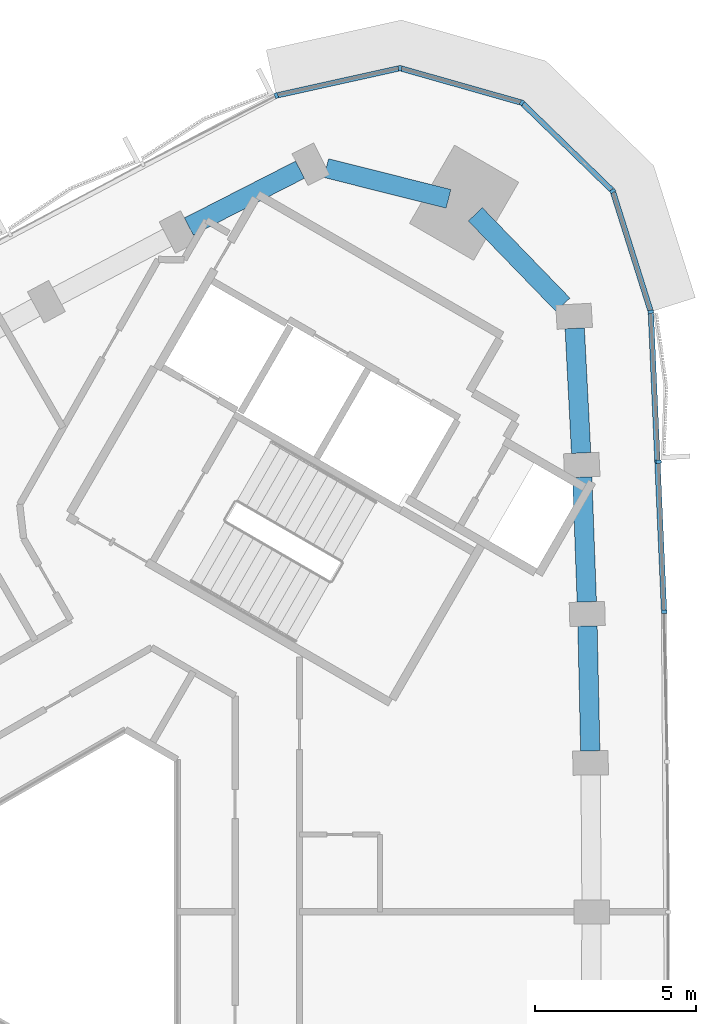
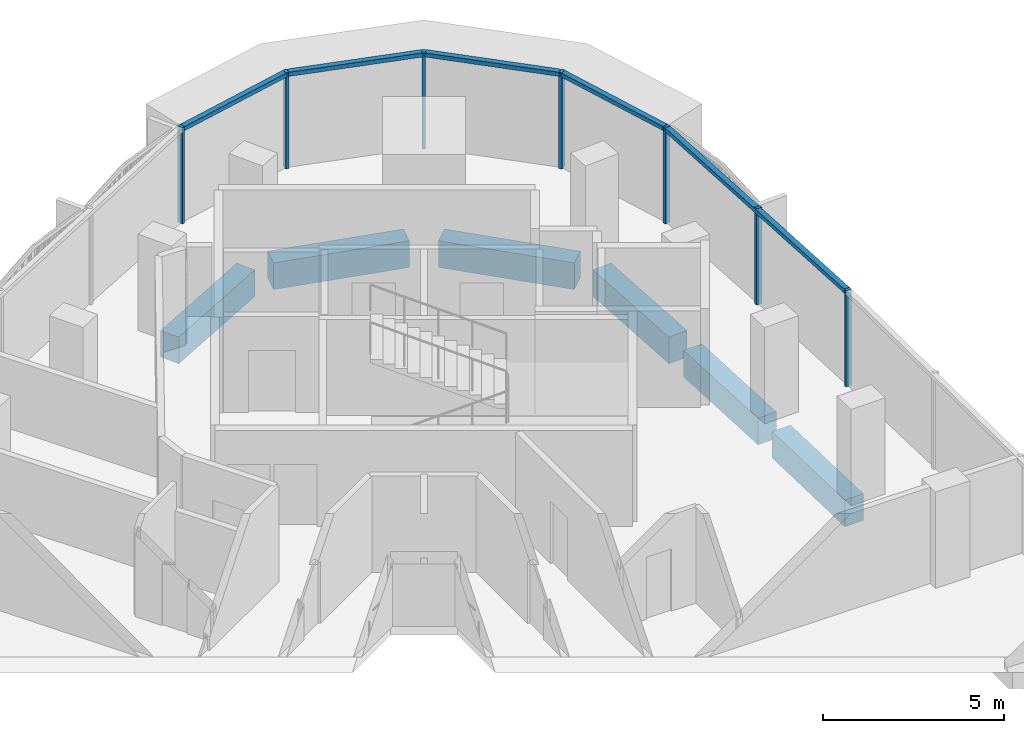
# One storey, part 6 of 16: 12 members, 6 beams, 2 elements without a shape of their own.
"""IFC4 building model written with IfcOpenShell, lengths in metres."""

from ifc_helpers import new_model, si_unit, direction, frame, origin, origin_2d, place, context, subcontext, project, spatial, rectangle, extrude, material, material_profile, profile_set, type_object, element, aggregate, save


model = new_model("IFC4")

# Units and contexts
model_context = context("Model", 3, precision=1e-05, world=origin(), true_north=direction((0.0, 1.0)))
body_context = subcontext(model_context, "Body", "Model", "MODEL_VIEW")
ifc_project = project(units=[si_unit("LENGTHUNIT", "METRE"), si_unit("AREAUNIT", "SQUARE_METRE"), si_unit("VOLUMEUNIT", "CUBIC_METRE"), si_unit("PLANEANGLEUNIT", "RADIAN"), si_unit("MASSUNIT", "GRAM", prefix="KILO")], contexts=[model_context])

# Site, building, storey
site_placement = place(None, origin())
site = spatial("IfcSite", under=ifc_project, at=site_placement, CompositionType="ELEMENT")
building_placement = place(site_placement, origin())
building = spatial("IfcBuilding", under=site, at=building_placement, Name="Tamra Quay Hotel Tower", CompositionType="ELEMENT")
storey_placement = place(building_placement, frame((0.0, 0.0, 239.39990234375)))
storey = spatial("IfcBuildingStorey", under=building, at=storey_placement, Name="L60", CompositionType="ELEMENT", Elevation=239.39990234375)

# Curtain wall, members
ifc_material_1 = material(Name="Aluminium 6063 anodised dark grey", Category="aluminium")
curtain_wall_type_1 = type_object("IfcCurtainWallType", Name="CW1 CURTAIN WALL", PredefinedType="NOTDEFINED", material=ifc_material_1)
curtain_wall_1_placement = place(storey_placement, origin())
curtain_wall_1 = element("IfcCurtainWall", 1, at=curtain_wall_1_placement, inside=storey, type_object=curtain_wall_type_1, Name="CW1 east face L60", PredefinedType="NOTDEFINED")
ifc_material_profile_1 = material_profile(ifc_material_1, rectangle(XDim=0.169921875, YDim=0.10009765625, at=origin_2d()), Name="MULLION 100X170")
ifc_profile_set_1 = profile_set([ifc_material_profile_1], Name="Aluminium 6063 anodised dark grey")
member_type_1 = type_object("IfcMemberType", Name="MULLION CW1 Z5", PredefinedType="MULLION", material=ifc_profile_set_1)
member_1_placement = place(storey_placement, frame((18.91796875, 9.31884765625, 0.0), z_axis=(0.0, 0.0, 1.0), x_axis=(0.999567604461, 0.029404151257, 0.0)))
member_1 = element("IfcMember", 2, at=member_1_placement, type_object=member_type_1, Name="CW1 mullion L60.E.7", PredefinedType="MULLION", context=body_context, shape_type="SweptSolid", body=[
    extrude(rectangle(XDim=0.169921875, YDim=0.10009765625, at=origin_2d()), origin(), (0.0, 0.0, 1.0), 3.25),
])
member_2_placement = place(storey_placement, frame((18.746826171875, 13.9765625, 0.0), z_axis=(0.0, 0.0, 1.0), x_axis=(0.999028242541, 0.044074602737, 0.0)))
member_2 = element("IfcMember", 3, at=member_2_placement, type_object=member_type_1, Name="CW1 mullion L60.E.8", PredefinedType="MULLION", context=body_context, shape_type="SweptSolid", body=[
    extrude(rectangle(XDim=0.169921875, YDim=0.10009765625, at=origin_2d()), origin(), (0.0, 0.0, 1.0), 3.25),
])
member_3_placement = place(storey_placement, frame((18.50732421875, 18.63037109375, 0.0), z_axis=(0.0, 0.0, 1.0), x_axis=(0.984105369622, 0.177585532857, 0.0)))
member_3 = element("IfcMember", 4, at=member_3_placement, type_object=member_type_1, Name="CW1 mullion L60.E.9", PredefinedType="MULLION", context=body_context, shape_type="SweptSolid", body=[
    extrude(rectangle(XDim=0.169921875, YDim=0.10009765625, at=origin_2d()), origin(), (0.0, 0.0, 1.0), 3.25),
])
member_4_placement = place(storey_placement, frame((17.323974609375, 22.38037109375, 0.0), z_axis=(0.0, 0.0, 1.0), x_axis=(0.851044298206, 0.525093898736, 0.0)))
member_4 = element("IfcMember", 5, at=member_4_placement, type_object=member_type_1, Name="CW1 mullion L60.E.10", PredefinedType="MULLION", context=body_context, shape_type="SweptSolid", body=[
    extrude(rectangle(XDim=0.169921875, YDim=0.10009765625, at=origin_2d()), origin(), (0.0, 0.0, 1.0), 3.25),
])
member_5_placement = place(storey_placement, frame((14.503173828125, 25.1201171875, 0.0), z_axis=(0.0, 0.0, 1.0), x_axis=(0.5, 0.866025403784, 0.0)))
member_5 = element("IfcMember", 6, at=member_5_placement, type_object=member_type_1, Name="CW1 mullion L60.E.11", PredefinedType="MULLION", context=body_context, shape_type="SweptSolid", body=[
    extrude(rectangle(XDim=0.169921875, YDim=0.10009765625, at=origin_2d()), origin(), (0.0, 0.0, 1.0), 3.25),
])
member_6_placement = place(storey_placement, frame((10.719970703125, 26.193359375, 0.0), z_axis=(0.0, 0.0, 1.0), x_axis=(0.029222506575, 0.999572931361, 0.0)))
member_6 = element("IfcMember", 7, at=member_6_placement, type_object=member_type_1, Name="CW1 mullion L60.E.12", PredefinedType="MULLION", context=body_context, shape_type="SweptSolid", body=[
    extrude(rectangle(XDim=0.169921875, YDim=0.10009765625, at=origin_2d()), origin(), (0.0, 0.0, 1.0), 3.25),
])

# Curtain wall, member
curtain_wall_type_2 = type_object("IfcCurtainWallType", Name="CW2 CURTAIN WALL", PredefinedType="NOTDEFINED", material=ifc_material_1)
curtain_wall_2_placement = place(storey_placement, origin())
curtain_wall_2 = element("IfcCurtainWall", 8, at=curtain_wall_2_placement, inside=storey, type_object=curtain_wall_type_2, Name="CW2 north-west face L60", PredefinedType="NOTDEFINED")
ifc_material_profile_2 = material_profile(ifc_material_1, rectangle(XDim=0.169921875, YDim=0.10009765625, at=origin_2d()), Name="MULLION 100X170")
ifc_profile_set_2 = profile_set([ifc_material_profile_2], Name="Aluminium 6063 anodised dark grey")
member_type_2 = type_object("IfcMemberType", Name="MULLION CW2 Z5", PredefinedType="MULLION", material=ifc_profile_set_2)
member_7_placement = place(storey_placement, frame((6.880615234375, 25.343017578125, 0.0), z_axis=(0.0, 0.0, 1.0), x_axis=(-0.338259102012, 0.941053016522, 0.0)))
member_7 = element("IfcMember", 9, at=member_7_placement, type_object=member_type_2, Name="CW2 mullion L60.NW.1", PredefinedType="MULLION", context=body_context, shape_type="SweptSolid", body=[
    extrude(rectangle(XDim=0.169921875, YDim=0.10009765625, at=origin_2d()), origin(), (0.0, 0.0, 1.0), 3.25),
])
aggregate(curtain_wall_2, [member_7])

# Beams
ifc_material_2 = material(Name="Concrete M60", Category="concrete")
ifc_material_profile_3 = material_profile(ifc_material_2, rectangle(XDim=0.60009765625, YDim=0.89990234375, at=origin_2d()), Name="SPANDREL BEAM RC 600x900")
ifc_profile_set_3 = profile_set([ifc_material_profile_3], Name="Concrete M60")
beam_type = type_object("IfcBeamType", Name="SPANDREL BEAM RC 600x900", PredefinedType="SPANDREL", material=ifc_profile_set_3)
beam_1_placement = place(storey_placement, frame((16.626953125, 5.0, -0.7998046875), z_axis=(-0.022047440235, 0.999756925647, 0.0), x_axis=(-0.999756925647, -0.022047440235, 0.0)))
element("IfcBeam", 10, at=beam_1_placement, inside=storey, type_object=beam_type, Name="BM-SP5-005-L60", PredefinedType="SPANDREL", context=body_context, shape_type="SweptSolid", body=[
    extrude(rectangle(XDim=0.60009765625, YDim=0.89990234375, at=origin_2d()), origin(), (0.0, 0.0, 1.0), 3.875732421875),
])
beam_2_placement = place(storey_placement, frame((16.51953125, 9.62451171875, -0.7998046875), z_axis=(-0.036732019634, 0.999325151657, 0.0), x_axis=(-0.999325151657, -0.036732019634, 0.0)))
element("IfcBeam", 11, at=beam_2_placement, inside=storey, type_object=beam_type, Name="BM-SP5-006-L60", PredefinedType="SPANDREL", context=body_context, shape_type="SweptSolid", body=[
    extrude(rectangle(XDim=0.60009765625, YDim=0.89990234375, at=origin_2d()), origin(), (0.0, 0.0, 1.0), 3.875),
])
beam_3_placement = place(storey_placement, frame((16.343994140625, 14.24609375, -0.7998046875), z_axis=(-0.051404854824, 0.998677896471, 0.0), x_axis=(-0.998677896471, -0.051404854824, 0.0)))
element("IfcBeam", 12, at=beam_3_placement, inside=storey, type_object=beam_type, Name="BM-SP5-007-L60", PredefinedType="SPANDREL", context=body_context, shape_type="SweptSolid", body=[
    extrude(rectangle(XDim=0.60009765625, YDim=0.89990234375, at=origin_2d()), origin(), (0.0, 0.0, 1.0), 3.87548828125),
])
beam_4_placement = place(storey_placement, frame((15.781005859375, 18.846435546875, -0.7998046875), z_axis=(-0.69594408001, 0.718095980701, 0.0), x_axis=(-0.718095980701, -0.69594408001, 0.0)))
element("IfcBeam", 13, at=beam_4_placement, inside=storey, type_object=beam_type, Name="BM-SP5-008-L60", PredefinedType="SPANDREL", context=body_context, shape_type="SweptSolid", body=[
    extrude(rectangle(XDim=0.60009765625, YDim=0.89990234375, at=origin_2d()), origin(), (0.0, 0.0, 1.0), 3.91259765625),
])
beam_5_placement = place(storey_placement, frame((12.225830078125, 22.136474609375, -0.7998046875), z_axis=(-0.969848171666, 0.243709917558, 0.0), x_axis=(-0.243709917558, -0.969848171666, 0.0)))
element("IfcBeam", 14, at=beam_5_placement, inside=storey, type_object=beam_type, Name="BM-SP5-009-L60", PredefinedType="SPANDREL", context=body_context, shape_type="SweptSolid", body=[
    extrude(rectangle(XDim=0.60009765625, YDim=0.89990234375, at=origin_2d()), origin(), (0.0, 0.0, 1.0), 3.912841796875),
])
beam_6_placement = place(storey_placement, frame((7.616943359375, 23.0400390625, -0.7998046875), z_axis=(-0.890602550436, -0.454782472349, 0.0), x_axis=(0.454782472349, -0.890602550436, 0.0)))
element("IfcBeam", 15, at=beam_6_placement, inside=storey, type_object=beam_type, Name="BM-SP5-010-L60", PredefinedType="SPANDREL", context=body_context, shape_type="SweptSolid", body=[
    extrude(rectangle(XDim=0.60009765625, YDim=0.89990234375, at=origin_2d()), origin(), (0.0, 0.0, 1.0), 3.87548828125),
])

# Member
ifc_material_profile_4 = material_profile(ifc_material_1, rectangle(XDim=0.169921875, YDim=0.139892578125, at=origin_2d()), Name="TRANSOM 170X140")
ifc_profile_set_4 = profile_set([ifc_material_profile_4], Name="Aluminium 6063 anodised dark grey")
member_type_3 = type_object("IfcMemberType", Name="TRANSOM CW1 Z5", PredefinedType="USERDEFINED", material=ifc_profile_set_4)
member_8_placement = place(storey_placement, frame((18.916259765625, 9.368896484375, 3.18017578125), z_axis=(-0.044086433995, 0.999027720505, 0.0), x_axis=(-0.999027720505, -0.044086433995, 0.0)))
member_8 = element("IfcMember", 16, at=member_8_placement, type_object=member_type_3, Name="CW1 transom L60.E.7", ObjectType="TRANSOM", PredefinedType="USERDEFINED", context=body_context, shape_type="SweptSolid", body=[
    extrude(rectangle(XDim=0.169921875, YDim=0.139892578125, at=origin_2d()), origin(), (0.0, 0.0, 1.0), 9.220458984375),
])

member_9_placement = place(storey_placement, frame((18.4921875, 18.677978515625, 3.18017578125), z_axis=(-0.300878302807, 0.953662543513, 0.0), x_axis=(-0.953662543513, -0.300878302807, 0.0)))
member_9 = element("IfcMember", 17, at=member_9_placement, type_object=member_type_3, Name="CW1 transom L60.E.9", ObjectType="TRANSOM", PredefinedType="USERDEFINED", context=body_context, shape_type="SweptSolid", body=[
    extrude(rectangle(XDim=0.169921875, YDim=0.139892578125, at=origin_2d()), origin(), (0.0, 0.0, 1.0), 3.832275390625),
])

member_10_placement = place(storey_placement, frame((17.2880859375, 22.415283203125, 3.18017578125), z_axis=(-0.717352155518, 0.696710761345, 0.0), x_axis=(-0.696710761345, -0.717352155518, 0.0)))
member_10 = element("IfcMember", 18, at=member_10_placement, type_object=member_type_3, Name="CW1 transom L60.E.10", ObjectType="TRANSOM", PredefinedType="USERDEFINED", context=body_context, shape_type="SweptSolid", body=[
    extrude(rectangle(XDim=0.169921875, YDim=0.139892578125, at=origin_2d()), origin(), (0.0, 0.0, 1.0), 3.832275390625),
])

member_11_placement = place(storey_placement, frame((14.455078125, 25.1337890625, 3.18017578125), z_axis=(-0.962041469084, 0.272903301123, 0.0), x_axis=(-0.272903301123, -0.962041469084, 0.0)))
member_11 = element("IfcMember", 19, at=member_11_placement, type_object=member_type_3, Name="CW1 transom L60.E.11", ObjectType="TRANSOM", PredefinedType="USERDEFINED", context=body_context, shape_type="SweptSolid", body=[
    extrude(rectangle(XDim=0.169921875, YDim=0.139892578125, at=origin_2d()), origin(), (0.0, 0.0, 1.0), 3.83251953125),
])

member_12_placement = place(storey_placement, frame((10.671142578125, 26.182373046875, 3.18017578125), z_axis=(-0.976345686568, -0.216215402598, 0.0), x_axis=(0.216215402598, -0.976345686568, 0.0)))
member_12 = element("IfcMember", 20, at=member_12_placement, type_object=member_type_3, Name="CW1 transom L60.E.12", ObjectType="TRANSOM", PredefinedType="USERDEFINED", context=body_context, shape_type="SweptSolid", body=[
    extrude(rectangle(XDim=0.169921875, YDim=0.139892578125, at=origin_2d()), origin(), (0.0, 0.0, 1.0), 3.832275390625),
])

aggregate(curtain_wall_1, [member_1, member_8, member_2, member_3, member_9, member_4, member_10, member_5, member_11, member_6, member_12])

save(model, "model.ifc")
